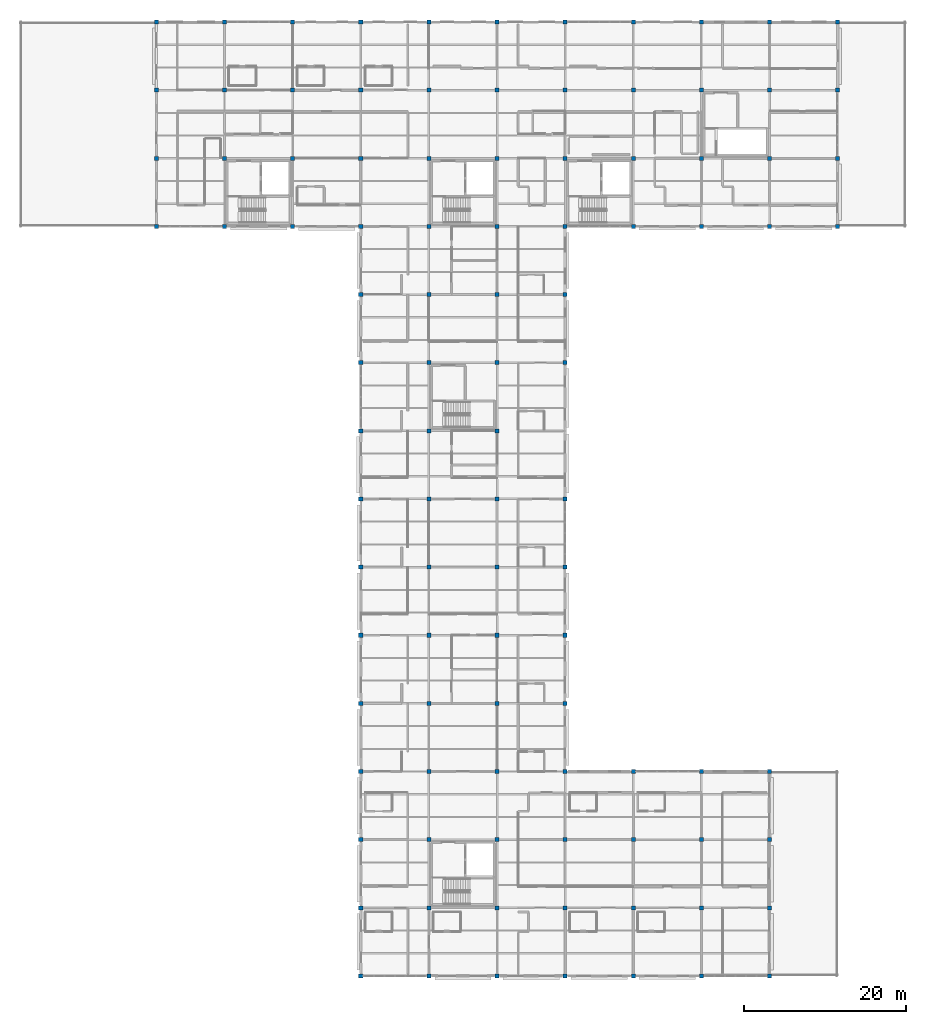
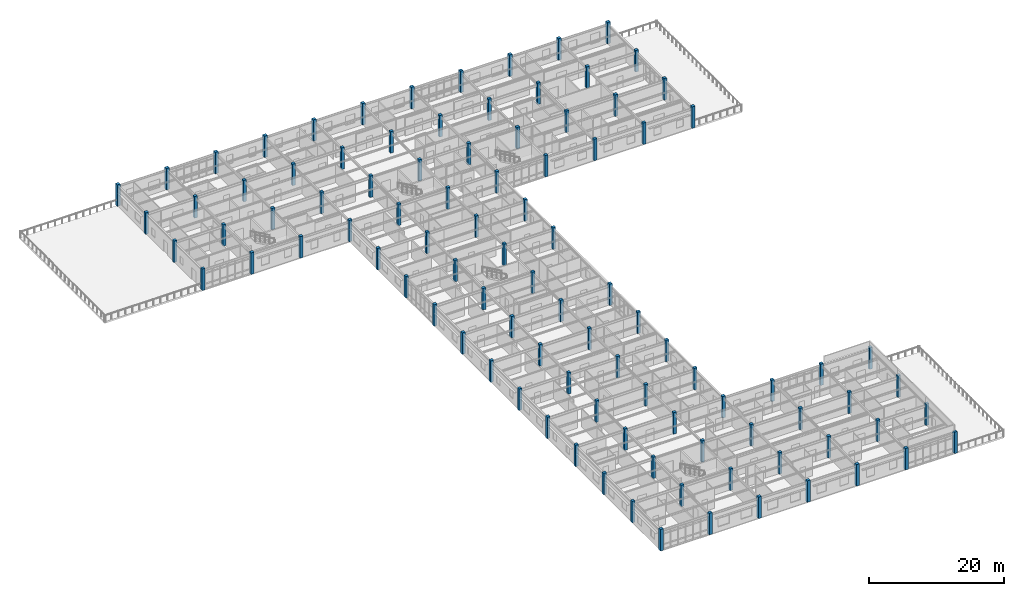
# One storey, part 1 of 53: 99 columns.
"""IFC4 building model written with IfcOpenShell, lengths in metres."""

from ifc_helpers import new_model, si_unit, direction, frame, origin, origin_2d, place, context, subcontext, project, spatial, rectangle, extrude, material, material_profile, profile_set, type_object, element, save


model = new_model("IFC4")

# Units and contexts
model_context = context("Model", 3, precision=1e-05, world=origin(), true_north=direction((0.0, 1.0)))
body_context = subcontext(model_context, "Body", "Model", "MODEL_VIEW")
ifc_project = project(units=[si_unit("LENGTHUNIT", "METRE"), si_unit("AREAUNIT", "SQUARE_METRE"), si_unit("VOLUMEUNIT", "CUBIC_METRE"), si_unit("PLANEANGLEUNIT", "RADIAN"), si_unit("MASSUNIT", "GRAM", prefix="KILO")], contexts=[model_context])

# Site, building, storey
site_placement = place(None, origin())
site = spatial("IfcSite", under=ifc_project, at=site_placement, CompositionType="ELEMENT")
building_placement = place(site_placement, origin())
building = spatial("IfcBuilding", under=site, at=building_placement, Name="Bramfleet General Hospital", CompositionType="ELEMENT")
storey_placement = place(building_placement, frame((0.0, 0.0, 26.39990234375)))
storey = spatial("IfcBuildingStorey", under=building, at=storey_placement, Name="L06", CompositionType="ELEMENT", Elevation=26.39990234375)

# Columns
ifc_material = material(Name="Concrete C40/50", Category="concrete")
ifc_material_profile = material_profile(ifc_material, rectangle(XDim=0.5, YDim=0.5, at=origin_2d()), Name="RC COL 500x500")
ifc_profile_set = profile_set([ifc_material_profile], Name="Concrete C40/50")
column_type = type_object("IfcColumnType", Name="COL-RC500", PredefinedType="COLUMN", material=ifc_profile_set)
for number, where, z_axis, x_axis, name in (
    (1, (67.199951171875, 92.39990234375, 0.0), (0.0, 0.0, 1.0), (1.0, 0.0, 0.0), "Column COL-L06-08-11"),
    (2, (67.199951171875, 100.800048828125, 0.0), (0.0, 0.0, 1.0), (1.0, 0.0, 0.0), "Column COL-L06-08-12"),
    (3, (67.199951171875, 109.199951171875, 0.0), (0.0, 0.0, 1.0), (1.0, 0.0, 0.0), "Column COL-L06-08-13"),
    (4, (67.199951171875, 117.60009765625, 0.0), (0.0, 0.0, 1.0), (1.0, 0.0, 0.0), "Column COL-L06-08-14"),
    (5, (75.60009765625, 92.39990234375, 0.0), (0.0, 0.0, 1.0), (1.0, 0.0, 0.0), "Column COL-L06-09-11"),
    (6, (75.60009765625, 100.800048828125, 0.0), (0.0, 0.0, 1.0), (1.0, 0.0, 0.0), "Column COL-L06-09-12"),
    (7, (75.60009765625, 109.199951171875, 0.0), (0.0, 0.0, 1.0), (1.0, 0.0, 0.0), "Column COL-L06-09-13"),
    (8, (75.60009765625, 117.60009765625, 0.0), (0.0, 0.0, 1.0), (1.0, 0.0, 0.0), "Column COL-L06-09-14"),
    (9, (84.0, 92.39990234375, 0.0), (0.0, 0.0, 1.0), (1.0, 0.0, 0.0), "Column COL-L06-10-11"),
    (10, (84.0, 100.800048828125, 0.0), (0.0, 0.0, 1.0), (1.0, 0.0, 0.0), "Column COL-L06-10-12"),
    (11, (84.0, 109.199951171875, 0.0), (0.0, 0.0, 1.0), (1.0, 0.0, 0.0), "Column COL-L06-10-13"),
    (12, (84.0, 117.60009765625, 0.0), (0.0, 0.0, 1.0), (1.0, 0.0, 0.0), "Column COL-L06-10-14"),
    (13, (92.39990234375, 0.0, 0.0), (0.0, 0.0, 1.0), (1.0, 0.0, 0.0), "Column COL-L06-11-00"),
    (14, (92.39990234375, 8.39990234375, 0.0), (0.0, 0.0, 1.0), (1.0, 0.0, 0.0), "Column COL-L06-11-01"),
    (15, (92.39990234375, 16.800048828125, 0.0), (0.0, 0.0, 1.0), (1.0, 0.0, 0.0), "Column COL-L06-11-02"),
    (16, (92.39990234375, 25.199951171875, 0.0), (0.0, 0.0, 1.0), (1.0, 0.0, 0.0), "Column COL-L06-11-03"),
    (17, (92.39990234375, 33.60009765625, 0.0), (0.0, 0.0, 1.0), (1.0, 0.0, 0.0), "Column COL-L06-11-04"),
    (18, (92.39990234375, 42.0, 0.0), (0.0, 0.0, 1.0), (1.0, 0.0, 0.0), "Column COL-L06-11-05"),
    (19, (92.39990234375, 50.39990234375, 0.0), (0.0, 0.0, 1.0), (1.0, 0.0, 0.0), "Column COL-L06-11-06"),
    (20, (92.39990234375, 58.800048828125, 0.0), (0.0, 0.0, 1.0), (1.0, 0.0, 0.0), "Column COL-L06-11-07"),
    (21, (92.39990234375, 67.199951171875, 0.0), (0.0, 0.0, 1.0), (1.0, 0.0, 0.0), "Column COL-L06-11-08"),
    (22, (92.39990234375, 75.60009765625, 0.0), (0.0, 0.0, 1.0), (1.0, 0.0, 0.0), "Column COL-L06-11-09"),
    (23, (92.39990234375, 84.0, 0.0), (0.0, 0.0, 1.0), (1.0, 0.0, 0.0), "Column COL-L06-11-10"),
    (24, (92.39990234375, 92.39990234375, 0.0), (0.0, 0.0, 1.0), (1.0, 0.0, 0.0), "Column COL-L06-11-11"),
    (25, (92.39990234375, 100.800048828125, 0.0), (0.0, 0.0, 1.0), (1.0, 0.0, 0.0), "Column COL-L06-11-12"),
    (26, (92.39990234375, 109.199951171875, 0.0), (0.0, 0.0, 1.0), (1.0, 0.0, 0.0), "Column COL-L06-11-13"),
    (27, (92.39990234375, 117.60009765625, 0.0), (0.0, 0.0, 1.0), (1.0, 0.0, 0.0), "Column COL-L06-11-14"),
    (28, (100.800048828125, 0.0, 0.0), (0.0, 0.0, 1.0), (1.0, 0.0, 0.0), "Column COL-L06-12-00"),
    (29, (100.800048828125, 8.39990234375, 0.0), (0.0, 0.0, 1.0), (1.0, 0.0, 0.0), "Column COL-L06-12-01"),
    (30, (100.800048828125, 16.800048828125, 0.0), (0.0, 0.0, 1.0), (1.0, 0.0, 0.0), "Column COL-L06-12-02"),
    (31, (100.800048828125, 25.199951171875, 0.0), (0.0, 0.0, 1.0), (1.0, 0.0, 0.0), "Column COL-L06-12-03"),
    (32, (100.800048828125, 33.60009765625, 0.0), (0.0, 0.0, 1.0), (1.0, 0.0, 0.0), "Column COL-L06-12-04"),
    (33, (100.800048828125, 42.0, 0.0), (0.0, 0.0, 1.0), (1.0, 0.0, 0.0), "Column COL-L06-12-05"),
    (34, (100.800048828125, 50.39990234375, 0.0), (0.0, 0.0, 1.0), (1.0, 0.0, 0.0), "Column COL-L06-12-06"),
    (35, (100.800048828125, 58.800048828125, 0.0), (0.0, 0.0, 1.0), (1.0, 0.0, 0.0), "Column COL-L06-12-07"),
    (36, (100.800048828125, 67.199951171875, 0.0), (0.0, 0.0, 1.0), (1.0, 0.0, 0.0), "Column COL-L06-12-08"),
    (37, (100.800048828125, 75.60009765625, 0.0), (0.0, 0.0, 1.0), (1.0, 0.0, 0.0), "Column COL-L06-12-09"),
    (38, (100.800048828125, 84.0, 0.0), (0.0, 0.0, 1.0), (1.0, 0.0, 0.0), "Column COL-L06-12-10"),
    (39, (100.800048828125, 92.39990234375, 0.0), (0.0, 0.0, 1.0), (1.0, 0.0, 0.0), "Column COL-L06-12-11"),
    (40, (100.800048828125, 100.800048828125, 0.0), (0.0, 0.0, 1.0), (1.0, 0.0, 0.0), "Column COL-L06-12-12"),
    (41, (100.800048828125, 109.199951171875, 0.0), (0.0, 0.0, 1.0), (1.0, 0.0, 0.0), "Column COL-L06-12-13"),
    (42, (100.800048828125, 117.60009765625, 0.0), (0.0, 0.0, 1.0), (1.0, 0.0, 0.0), "Column COL-L06-12-14"),
    (43, (109.199951171875, 0.0, 0.0), (0.0, 0.0, 1.0), (1.0, 0.0, 0.0), "Column COL-L06-13-00"),
    (44, (109.199951171875, 8.39990234375, 0.0), (0.0, 0.0, 1.0), (1.0, 0.0, 0.0), "Column COL-L06-13-01"),
    (45, (109.199951171875, 16.800048828125, 0.0), (0.0, 0.0, 1.0), (1.0, 0.0, 0.0), "Column COL-L06-13-02"),
    (46, (109.199951171875, 25.199951171875, 0.0), (0.0, 0.0, 1.0), (1.0, 0.0, 0.0), "Column COL-L06-13-03"),
    (47, (109.199951171875, 33.60009765625, 0.0), (0.0, 0.0, 1.0), (1.0, 0.0, 0.0), "Column COL-L06-13-04"),
    (48, (109.199951171875, 42.0, 0.0), (0.0, 0.0, 1.0), (1.0, 0.0, 0.0), "Column COL-L06-13-05"),
    (49, (109.199951171875, 50.39990234375, 0.0), (0.0, 0.0, 1.0), (1.0, 0.0, 0.0), "Column COL-L06-13-06"),
    (50, (109.199951171875, 58.800048828125, 0.0), (0.0, 0.0, 1.0), (1.0, 0.0, 0.0), "Column COL-L06-13-07"),
    (51, (109.199951171875, 67.199951171875, 0.0), (0.0, 0.0, 1.0), (1.0, 0.0, 0.0), "Column COL-L06-13-08"),
    (52, (109.199951171875, 75.60009765625, 0.0), (0.0, 0.0, 1.0), (1.0, 0.0, 0.0), "Column COL-L06-13-09"),
    (53, (109.199951171875, 84.0, 0.0), (0.0, 0.0, 1.0), (1.0, 0.0, 0.0), "Column COL-L06-13-10"),
    (54, (109.199951171875, 92.39990234375, 0.0), (0.0, 0.0, 1.0), (1.0, 0.0, 0.0), "Column COL-L06-13-11"),
    (55, (109.199951171875, 100.800048828125, 0.0), (0.0, 0.0, 1.0), (1.0, 0.0, 0.0), "Column COL-L06-13-12"),
    (56, (109.199951171875, 109.199951171875, 0.0), (0.0, 0.0, 1.0), (1.0, 0.0, 0.0), "Column COL-L06-13-13"),
    (57, (109.199951171875, 117.60009765625, 0.0), (0.0, 0.0, 1.0), (1.0, 0.0, 0.0), "Column COL-L06-13-14"),
    (58, (117.60009765625, 0.0, 0.0), (0.0, 0.0, 1.0), (1.0, 0.0, 0.0), "Column COL-L06-14-00"),
    (59, (117.60009765625, 8.39990234375, 0.0), (0.0, 0.0, 1.0), (1.0, 0.0, 0.0), "Column COL-L06-14-01"),
    (60, (117.60009765625, 16.800048828125, 0.0), (0.0, 0.0, 1.0), (1.0, 0.0, 0.0), "Column COL-L06-14-02"),
    (61, (117.60009765625, 25.199951171875, 0.0), (0.0, 0.0, 1.0), (1.0, 0.0, 0.0), "Column COL-L06-14-03"),
    (62, (117.60009765625, 33.60009765625, 0.0), (0.0, 0.0, 1.0), (1.0, 0.0, 0.0), "Column COL-L06-14-04"),
    (63, (117.60009765625, 42.0, 0.0), (0.0, 0.0, 1.0), (1.0, 0.0, 0.0), "Column COL-L06-14-05"),
    (64, (117.60009765625, 50.39990234375, 0.0), (0.0, 0.0, 1.0), (1.0, 0.0, 0.0), "Column COL-L06-14-06"),
    (65, (117.60009765625, 58.800048828125, 0.0), (0.0, 0.0, 1.0), (1.0, 0.0, 0.0), "Column COL-L06-14-07"),
    (66, (117.60009765625, 75.60009765625, 0.0), (0.0, 0.0, 1.0), (1.0, 0.0, 0.0), "Column COL-L06-14-09"),
    (67, (117.60009765625, 84.0, 0.0), (0.0, 0.0, 1.0), (1.0, 0.0, 0.0), "Column COL-L06-14-10"),
    (68, (117.60009765625, 92.39990234375, 0.0), (0.0, 0.0, 1.0), (1.0, 0.0, 0.0), "Column COL-L06-14-11"),
    (69, (117.60009765625, 100.800048828125, 0.0), (0.0, 0.0, 1.0), (1.0, 0.0, 0.0), "Column COL-L06-14-12"),
    (70, (117.60009765625, 109.199951171875, 0.0), (0.0, 0.0, 1.0), (1.0, 0.0, 0.0), "Column COL-L06-14-13"),
    (71, (117.60009765625, 117.60009765625, 0.0), (0.0, 0.0, 1.0), (1.0, 0.0, 0.0), "Column COL-L06-14-14"),
    (72, (126.0, 0.0, 0.0), (0.0, 0.0, 1.0), (1.0, 0.0, 0.0), "Column COL-L06-15-00"),
    (73, (126.0, 8.39990234375, 0.0), (0.0, 0.0, 1.0), (1.0, 0.0, 0.0), "Column COL-L06-15-01"),
    (74, (126.0, 16.800048828125, 0.0), (0.0, 0.0, 1.0), (1.0, 0.0, 0.0), "Column COL-L06-15-02"),
    (75, (126.0, 25.199951171875, 0.0), (0.0, 0.0, 1.0), (1.0, 0.0, 0.0), "Column COL-L06-15-03"),
    (76, (126.0, 92.39990234375, 0.0), (0.0, 0.0, 1.0), (1.0, 0.0, 0.0), "Column COL-L06-15-11"),
    (77, (126.0, 100.800048828125, 0.0), (0.0, 0.0, 1.0), (1.0, 0.0, 0.0), "Column COL-L06-15-12"),
    (78, (126.0, 109.199951171875, 0.0), (0.0, 0.0, 1.0), (1.0, 0.0, 0.0), "Column COL-L06-15-13"),
    (79, (126.0, 117.60009765625, 0.0), (0.0, 0.0, 1.0), (1.0, 0.0, 0.0), "Column COL-L06-15-14"),
    (80, (134.39990234375, 0.0, 0.0), (0.0, 0.0, 1.0), (1.0, 0.0, 0.0), "Column COL-L06-16-00"),
    (81, (134.39990234375, 8.39990234375, 0.0), (0.0, 0.0, 1.0), (1.0, 0.0, 0.0), "Column COL-L06-16-01"),
    (82, (134.39990234375, 16.800048828125, 0.0), (0.0, 0.0, 1.0), (1.0, 0.0, 0.0), "Column COL-L06-16-02"),
    (83, (134.39990234375, 25.199951171875, 0.0), (0.0, 0.0, 1.0), (1.0, 0.0, 0.0), "Column COL-L06-16-03"),
    (84, (134.39990234375, 92.39990234375, 0.0), (0.0, 0.0, 1.0), (1.0, 0.0, 0.0), "Column COL-L06-16-11"),
    (85, (134.39990234375, 100.800048828125, 0.0), (0.0, 0.0, 1.0), (1.0, 0.0, 0.0), "Column COL-L06-16-12"),
    (86, (134.39990234375, 109.199951171875, 0.0), (0.0, 0.0, 1.0), (1.0, 0.0, 0.0), "Column COL-L06-16-13"),
    (87, (134.39990234375, 117.60009765625, 0.0), (0.0, 0.0, 1.0), (1.0, 0.0, 0.0), "Column COL-L06-16-14"),
    (88, (142.800048828125, 0.0, 0.0), (0.0, 0.0, 1.0), (1.0, 0.0, 0.0), "Column COL-L06-17-00"),
    (89, (142.800048828125, 8.39990234375, 0.0), (0.0, 0.0, 1.0), (1.0, 0.0, 0.0), "Column COL-L06-17-01"),
    (90, (142.800048828125, 16.800048828125, 0.0), (0.0, 0.0, 1.0), (1.0, 0.0, 0.0), "Column COL-L06-17-02"),
    (91, (142.800048828125, 25.199951171875, 0.0), (0.0, 0.0, 1.0), (1.0, 0.0, 0.0), "Column COL-L06-17-03"),
    (92, (142.800048828125, 92.39990234375, 0.0), (0.0, 0.0, 1.0), (1.0, 0.0, 0.0), "Column COL-L06-17-11"),
    (93, (142.800048828125, 100.800048828125, 0.0), (0.0, 0.0, 1.0), (1.0, 0.0, 0.0), "Column COL-L06-17-12"),
    (94, (142.800048828125, 109.199951171875, 0.0), (0.0, 0.0, 1.0), (1.0, 0.0, 0.0), "Column COL-L06-17-13"),
    (95, (142.800048828125, 117.60009765625, 0.0), (0.0, 0.0, 1.0), (1.0, 0.0, 0.0), "Column COL-L06-17-14"),
    (96, (151.199951171875, 92.39990234375, 0.0), (0.0, 0.0, 1.0), (1.0, 0.0, 0.0), "Column COL-L06-18-11"),
    (97, (151.199951171875, 100.800048828125, 0.0), (0.0, 0.0, 1.0), (1.0, 0.0, 0.0), "Column COL-L06-18-12"),
    (98, (151.199951171875, 109.199951171875, 0.0), (0.0, 0.0, 1.0), (1.0, 0.0, 0.0), "Column COL-L06-18-13"),
    (99, (151.199951171875, 117.60009765625, 0.0), (0.0, 0.0, 1.0), (1.0, 0.0, 0.0), "Column COL-L06-18-14"),
):
    element("IfcColumn", number, at=place(storey_placement, frame(where, z_axis=z_axis, x_axis=x_axis)), inside=storey, type_object=column_type, Name=name, PredefinedType="COLUMN", context=body_context, shape_type="SweptSolid", body=[
        extrude(rectangle(XDim=0.5, YDim=0.5, at=origin_2d()), origin(), (0.0, 0.0, 1.0), 3.900146484375),
    ])

save(model, "model.ifc")
